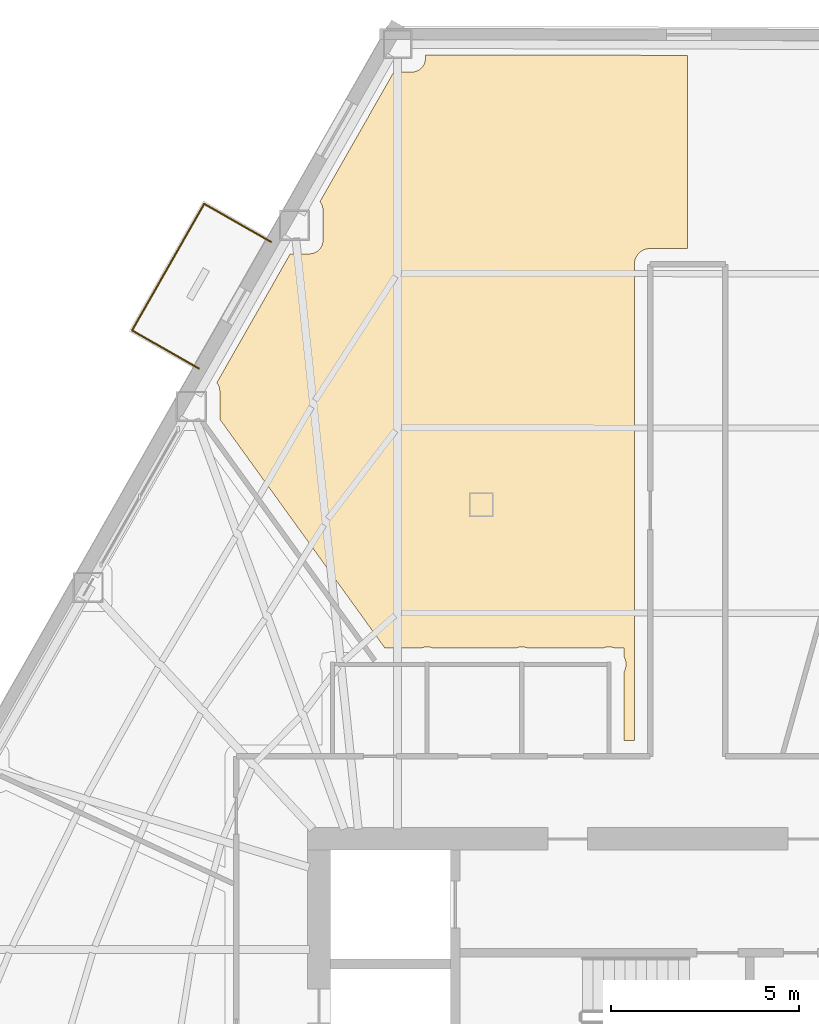
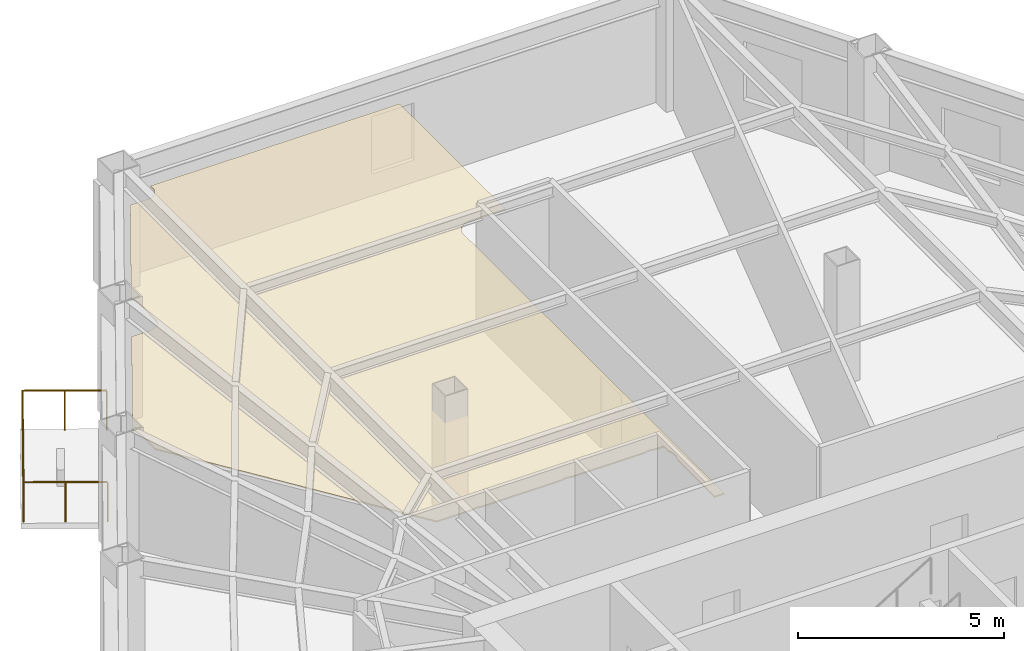
# One storey, part 14 of 14: 3 railings, 1 covering.
"""IFC4 building model written with IfcOpenShell, lengths in metres."""

from ifc_helpers import new_model, si_unit, direction, frame, origin, origin_2d, place, context, subcontext, project, spatial, polyline, circle, outline, extrude, material, layer, layer_set, type_object, element, save


model = new_model("IFC4")

# Units and contexts
model_context = context("Model", 3, precision=1e-05, world=origin(), true_north=direction((0.0, 1.0)))
body_context = subcontext(model_context, "Body", "Model", "MODEL_VIEW")
ifc_project = project(units=[si_unit("LENGTHUNIT", "METRE"), si_unit("AREAUNIT", "SQUARE_METRE"), si_unit("VOLUMEUNIT", "CUBIC_METRE"), si_unit("PLANEANGLEUNIT", "RADIAN"), si_unit("MASSUNIT", "GRAM", prefix="KILO")], contexts=[model_context])

# Site, building, storey
site_placement = place(None, origin())
site = spatial("IfcSite", under=ifc_project, at=site_placement, CompositionType="ELEMENT")
building_placement = place(site_placement, origin())
building = spatial("IfcBuilding", under=site, at=building_placement, Name="Kavelnor Concourse Tower", CompositionType="ELEMENT")
storey_placement = place(building_placement, frame((0.0, 0.0, 32.949951171875)))
storey = spatial("IfcBuildingStorey", under=building, at=storey_placement, Name="L08", CompositionType="ELEMENT", Elevation=32.949951171875)

# Covering
ifc_material_1 = material(Name="Mineral fibre acoustic ceiling tile")
ifc_layer = layer(ifc_material_1, 0.0400390625, Name="Mineral fibre acoustic ceiling tile")
ifc_layer_set = layer_set([ifc_layer], Name="Mineral fibre acoustic ceiling tile")
covering_type = type_object("IfcCoveringType", Name="COV-CEILING-ACOUSTIC", PredefinedType="CEILING", material=ifc_layer_set)
covering_placement = place(storey_placement, frame((0.0, 0.0, 2.75)))
element("IfcCovering", 1, at=covering_placement, inside=storey, type_object=covering_type, Name="L08 Suspended Acoustic Ceiling", PredefinedType="CEILING", context=body_context, shape_type="SweptSolid", body=[
    extrude(outline(polyline([(27.959716796875, 38.484375), (27.99462890625, 38.489501953125), (28.029052734375, 38.498046875), (28.062255859375, 38.510009765625), (28.09423828125, 38.525146484375), (28.12451171875, 38.543212890625), (28.153076171875, 38.564453125), (28.17919921875, 38.588134765625), (28.202880859375, 38.614501953125), (28.22412109375, 38.642822265625), (28.2421875, 38.673095703125), (28.25732421875, 38.705078125), (28.269287109375, 38.73828125), (28.27783203125, 38.772705078125), (28.283203125, 38.8076171875), (28.284423828125, 38.834716796875), (28.284423828125, 39.6513671875), (28.283203125, 39.67822265625), (28.27783203125, 39.71337890625), (28.269287109375, 39.74755859375), (28.25732421875, 39.781005859375), (28.2421875, 39.81298828125), (28.22412109375, 39.84326171875), (28.2041015625, 39.870361328125), (30.172119140625, 43.32470703125), (30.65966796875, 43.32470703125), (30.686767578125, 43.325927734375), (30.7216796875, 43.331298828125), (30.756103515625, 43.33984375), (30.789306640625, 43.351806640625), (30.8212890625, 43.36669921875), (30.8515625, 43.385009765625), (30.8798828125, 43.406005859375), (30.90625, 43.429931640625), (30.929931640625, 43.4560546875), (30.951171875, 43.484619140625), (30.96923828125, 43.514892578125), (30.984375, 43.546875), (30.996337890625, 43.580078125), (31.0048828125, 43.614501953125), (31.010009765625, 43.6494140625), (31.011474609375, 43.676513671875), (31.011474609375, 43.782958984375), (37.9951171875, 43.767578125), (37.9951171875, 38.62255859375), (36.99169921875, 38.62255859375), (36.95849609375, 38.620849609375), (36.91748046875, 38.61474609375), (36.877197265625, 38.604736328125), (36.838134765625, 38.5908203125), (36.800537109375, 38.572998046875), (36.764892578125, 38.551513671875), (36.731689453125, 38.52685546875), (36.700927734375, 38.4990234375), (36.673095703125, 38.46826171875), (36.6484375, 38.43505859375), (36.626953125, 38.3994140625), (36.609375, 38.36181640625), (36.59521484375, 38.32275390625), (36.585205078125, 38.282470703125), (36.5791015625, 38.241455078125), (36.577392578125, 38.208251953125), (36.577392578125, 25.5224609375), (36.304931640625, 25.5224609375), (36.304931640625, 27.354736328125), (36.3076171875, 27.35888671875), (36.32470703125, 27.39501953125), (36.337890625, 27.432373046875), (36.34765625, 27.470947265625), (36.353515625, 27.51025390625), (36.35546875, 27.550048828125), (36.353515625, 27.589599609375), (36.34765625, 27.629150390625), (36.337890625, 27.667724609375), (36.32470703125, 27.705078125), (36.3076171875, 27.7412109375), (36.299560546875, 27.75439453125), (36.298828125, 27.989990234375), (36.039794921875, 27.989990234375), (36.017578125, 27.998046875), (35.97900390625, 28.007568359375), (35.939697265625, 28.013427734375), (35.89990234375, 28.015380859375), (35.8603515625, 28.013427734375), (35.82080078125, 28.007568359375), (35.7822265625, 27.998046875), (35.763427734375, 27.9912109375), (33.7197265625, 27.989990234375), (33.69775390625, 27.998046875), (33.6591796875, 28.007568359375), (33.61962890625, 28.013427734375), (33.580078125, 28.015380859375), (33.540283203125, 28.013427734375), (33.5009765625, 28.007568359375), (33.46240234375, 27.998046875), (33.443359375, 27.9912109375), (31.19970703125, 27.989990234375), (31.177734375, 27.998046875), (31.13916015625, 28.007568359375), (31.099609375, 28.013427734375), (31.06005859375, 28.015380859375), (31.020263671875, 28.013427734375), (30.98095703125, 28.007568359375), (30.9423828125, 27.998046875), (30.92333984375, 27.9912109375), (29.9306640625, 27.990234375), (25.537353515625, 34.077392578125), (25.537353515625, 34.82958984375), (25.535888671875, 34.856689453125), (25.53076171875, 34.8916015625), (25.522216796875, 34.926025390625), (25.51025390625, 34.959228515625), (25.4951171875, 34.9912109375), (25.47705078125, 35.021484375), (25.45703125, 35.048583984375), (27.41357421875, 38.48291015625), (27.9326171875, 38.48291015625), (27.959716796875, 38.484375)])), origin(), (0.0, 0.0, 1.0), 0.0400390625),
])

# Railings
ifc_material_2 = material(Name="Architectural bronze-anodised aluminium", Category="aluminium")
railing_type = type_object("IfcRailingType", Name="RLG-TERRACE-1200", PredefinedType="BALUSTRADE", material=ifc_material_2)
railing_1_placement = place(storey_placement, frame((26.903076171875, 38.799072265625, 0.0)))
element("IfcRailing", 2, at=railing_1_placement, inside=storey, type_object=railing_type, Name="L08 Tree Balcony 2 Guardrail L", PredefinedType="BALUSTRADE", context=body_context, shape_type="SweptSolid", body=[
    extrude(circle(Radius=0.02392578125, at=origin_2d()), frame((0.0, 0.0, 1.17578125), z_axis=(-0.868916600855, 0.494958524281, 0.0), x_axis=(-0.494958524281, -0.868916600855, 0.0)), (0.0, 0.0, 1.0), 2.050048828125),
    extrude(circle(Radius=0.02099609375, at=origin_2d()), origin(), (0.0, 0.0, 1.0), 1.15185546875),
    extrude(circle(Radius=0.02099609375, at=origin_2d()), frame((-0.890625, 0.50732421875, 0.0)), (0.0, 0.0, 1.0), 1.15185546875),
    extrude(circle(Radius=0.02099609375, at=origin_2d()), frame((-1.78125, 1.0146484375, 0.0)), (0.0, 0.0, 1.0), 1.15185546875),
])
railing_2_placement = place(storey_placement, frame((25.121826171875, 39.813720703125, 0.0)))
element("IfcRailing", 3, at=railing_2_placement, inside=storey, type_object=railing_type, Name="L08 Tree Balcony 2 Guardrail F", PredefinedType="BALUSTRADE", context=body_context, shape_type="SweptSolid", body=[
    extrude(circle(Radius=0.02392578125, at=origin_2d()), frame((0.0, 0.0, 1.17578125), z_axis=(-0.495006890091, -0.868889048592, 0.0), x_axis=(0.868889048592, -0.495006890091, 0.0)), (0.0, 0.0, 1.0), 3.880126953125),
    extrude(circle(Radius=0.02099609375, at=origin_2d()), origin(), (0.0, 0.0, 1.0), 1.15185546875),
    extrude(circle(Radius=0.02099609375, at=origin_2d()), frame((-0.480224609375, -0.8427734375, 0.0)), (0.0, 0.0, 1.0), 1.15185546875),
    extrude(circle(Radius=0.02099609375, at=origin_2d()), frame((-0.96044921875, -1.685546875, 0.0)), (0.0, 0.0, 1.0), 1.15185546875),
    extrude(circle(Radius=0.02099609375, at=origin_2d()), frame((-1.4404296875, -2.528564453125, 0.0)), (0.0, 0.0, 1.0), 1.15185546875),
    extrude(circle(Radius=0.02099609375, at=origin_2d()), frame((-1.920654296875, -3.371337890625, 0.0)), (0.0, 0.0, 1.0), 1.15185546875),
])
railing_3_placement = place(storey_placement, frame((23.201171875, 36.4423828125, 0.0)))
element("IfcRailing", 4, at=railing_3_placement, inside=storey, type_object=railing_type, Name="L08 Tree Balcony 2 Guardrail R", PredefinedType="BALUSTRADE", context=body_context, shape_type="SweptSolid", body=[
    extrude(circle(Radius=0.02392578125, at=origin_2d()), frame((0.0, 0.0, 1.17578125), z_axis=(0.868865379152, -0.495048434914, 0.0), x_axis=(0.495048434914, 0.868865379152, 0.0)), (0.0, 0.0, 1.0), 2.050048828125),
    extrude(circle(Radius=0.02099609375, at=origin_2d()), origin(), (0.0, 0.0, 1.0), 1.15185546875),
    extrude(circle(Radius=0.02099609375, at=origin_2d()), frame((0.890625, -0.50732421875, 0.0)), (0.0, 0.0, 1.0), 1.15185546875),
    extrude(circle(Radius=0.02099609375, at=origin_2d()), frame((1.78125, -1.014892578125, 0.0)), (0.0, 0.0, 1.0), 1.15185546875),
])

save(model, "model.ifc")
